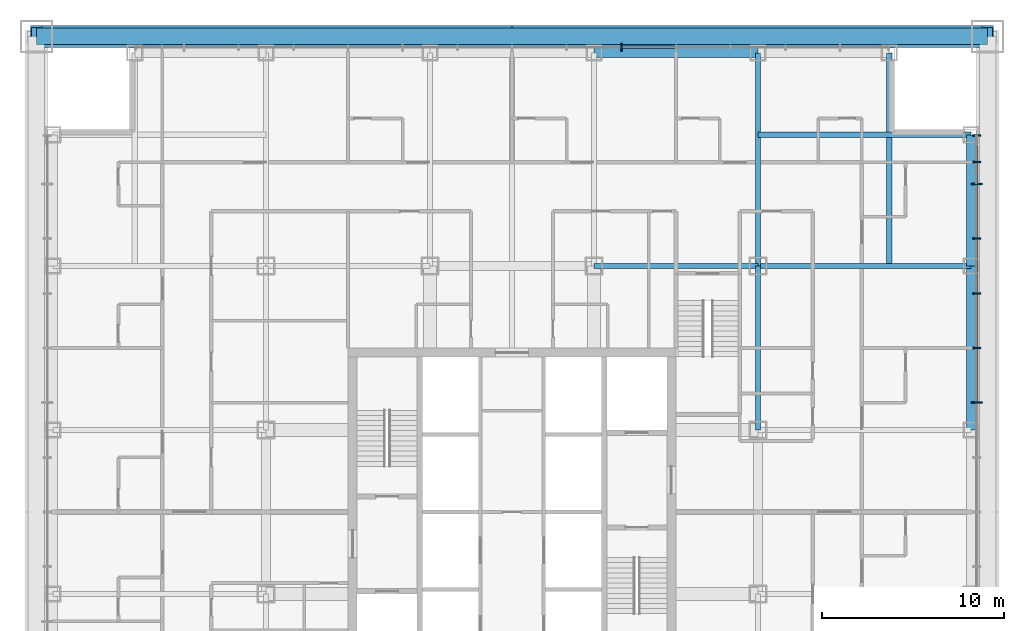
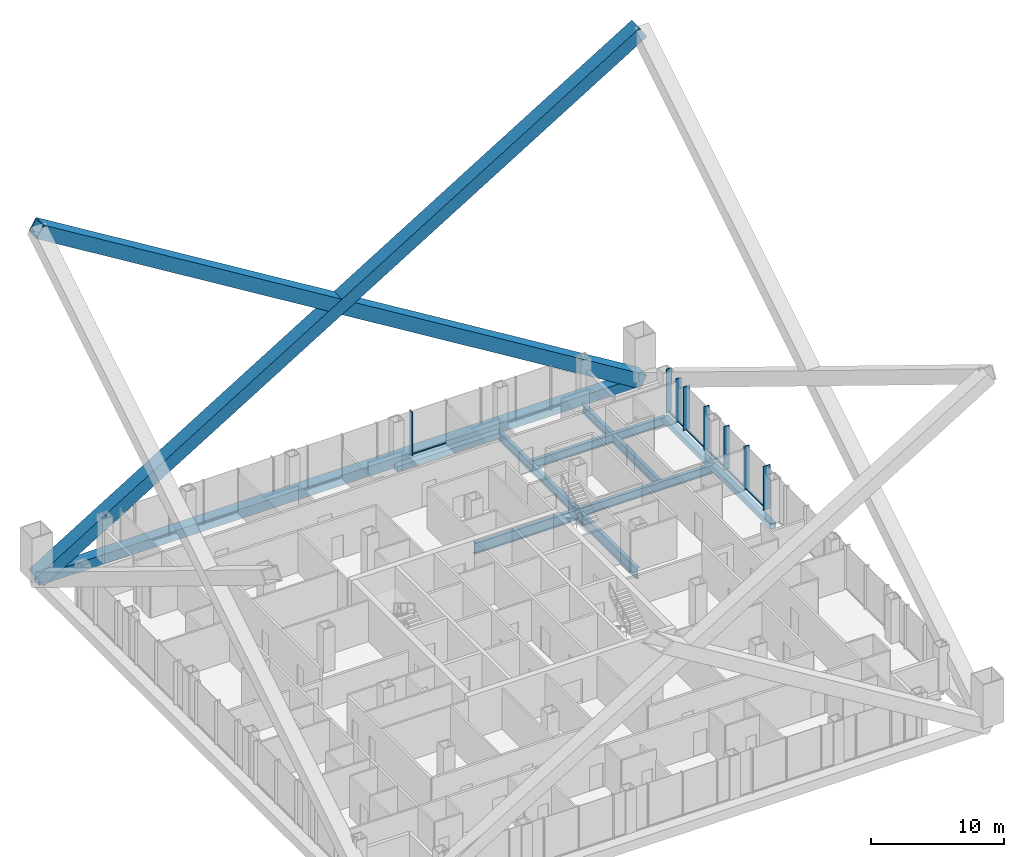
# One storey, part 9 of 21: 18 members, 9 beams, 2 elements without a shape of their own.
"""IFC4 building model written with IfcOpenShell, lengths in metres."""

import ifcopenshell
import ifcopenshell.guid

model = None  # the IFC model being written
_history = None  # IfcOwnerHistory: only IFC2X3 demands one
_inside = {}  # id of a spatial element -> (the spatial element, [elements in it])
_under = {}  # id of a project, library or spatial element -> (it, [spatial elements below it])
_declared = {}  # id of a project -> (the project, [libraries it declares])
_typed = {}  # id of a type object -> (the type object, [elements of that type])
_made_of = {}  # id of a material, layer set ... -> (it, [elements and type objects made of it])


def new_model(schema):
    """Start an empty IFC model of exactly this schema.

    Asked for "IFC4X3", IfcOpenShell would pick the latest addendum, in which some entities
    have other attributes; the version numbers below select the first issue.
    IFC2X3 requires an IfcOwnerHistory on every rooted entity: one is made here for all.
    """
    global model, _history
    if schema == "IFC4X3":
        model = ifcopenshell.file(schema_version=(4, 3, 0, 0))
    else:
        model = ifcopenshell.file(schema=schema)
    _inside.clear()
    _under.clear()
    _declared.clear()
    _typed.clear()
    _made_of.clear()
    _history = None
    if model.schema == "IFC2X3":
        org = make("IfcOrganization", Name="unknown")
        user = make(
            "IfcPersonAndOrganization",
            ThePerson=make("IfcPerson", FamilyName="unknown"),
            TheOrganization=org,
        )
        app = make(
            "IfcApplication",
            ApplicationDeveloper=org,
            Version="unknown",
            ApplicationFullName="unknown",
            ApplicationIdentifier="unknown",
        )
        _history = make(
            "IfcOwnerHistory",
            OwningUser=user,
            OwningApplication=app,
            ChangeAction="ADDED",
            CreationDate=0,
        )
    return model


def make(cls, **values):
    """One entity of the class cls with the attributes given. An attribute that is None is left unset."""
    return model.create_entity(
        cls, **{name: value for name, value in values.items() if value is not None}
    )


def rooted(cls, **values):
    """An entity with a GlobalId (a new one), such as an element, a storey or a relation."""
    return make(cls, GlobalId=ifcopenshell.guid.new(), OwnerHistory=_history, **values)


def si_unit(unit_type, name, prefix=None):
    """IfcSIUnit, for example si_unit("LENGTHUNIT", "METRE", prefix="MILLI")."""
    return make("IfcSIUnit", UnitType=unit_type, Prefix=prefix, Name=name)


def assignment(units):
    """IfcUnitAssignment: the units of a project."""
    return None if units is None else make("IfcUnitAssignment", Units=units)


def point(xyz):
    """IfcCartesianPoint."""
    return None if xyz is None else make("IfcCartesianPoint", Coordinates=xyz)


def direction(xyz):
    """IfcDirection."""
    return None if xyz is None else make("IfcDirection", DirectionRatios=xyz)


def frame(location, z_axis=None, x_axis=None):
    """IfcAxis2Placement3D, a coordinate frame: its origin and axes. An axis left out is left unset."""
    return make(
        "IfcAxis2Placement3D",
        Location=point(location),
        Axis=direction(z_axis),
        RefDirection=direction(x_axis),
    )


def frame_2d(location, x_axis=None):
    """IfcAxis2Placement2D, a coordinate frame in the plane: its origin and x axis."""
    return make(
        "IfcAxis2Placement2D", Location=point(location), RefDirection=direction(x_axis)
    )


def origin():
    """The frame at (0, 0, 0) with its axes left unset."""
    return frame((0.0, 0.0, 0.0))


def origin_2d():
    """The frame at (0, 0) in the plane with its x axis left unset."""
    return frame_2d((0.0, 0.0))


def place(relative_to, where):
    """IfcLocalPlacement: puts the frame where relative to a parent placement (None: the world)."""
    return make(
        "IfcLocalPlacement", PlacementRelTo=relative_to, RelativePlacement=where
    )


def context(
    kind, dimensions, precision=None, world=None, true_north=None, identifier=None
):
    """IfcGeometricRepresentationContext, for example the 3D "Model" context."""
    return make(
        "IfcGeometricRepresentationContext",
        ContextIdentifier=identifier,
        ContextType=kind,
        CoordinateSpaceDimension=dimensions,
        Precision=precision,
        WorldCoordinateSystem=world,
        TrueNorth=true_north,
    )


def subcontext(parent, identifier, kind, view, scale=None):
    """IfcGeometricRepresentationSubContext, for example "Body" below "Model"."""
    return make(
        "IfcGeometricRepresentationSubContext",
        ContextIdentifier=identifier,
        ContextType=kind,
        ParentContext=parent,
        TargetScale=scale,
        TargetView=view,
    )


def project(units=None, contexts=None):
    """IfcProject with its units and contexts."""
    return rooted(
        "IfcProject",
        Name="project",
        RepresentationContexts=contexts,
        UnitsInContext=assignment(units),
    )


def spatial(cls, under=None, at=None, **own):
    """A site, building, storey or space (cls), placed at a placement, below another one or the project."""
    s = rooted(cls, ObjectPlacement=at, **own)
    if under is not None:
        _under.setdefault(under.id(), (under, []))[1].append(s)
    return s


def profile(cls, at=None, kind="AREA", **sizes):
    """A parametric profile (cls). Its sizes go by their IFC names, for example OverallWidth=200.0."""
    return make(cls, ProfileType=kind, Position=at, **sizes)


def rectangle(**sizes):
    """IfcRectangleProfileDef."""
    return profile("IfcRectangleProfileDef", **sizes)


def hollow_rectangle(**sizes):
    """IfcRectangleHollowProfileDef."""
    return profile("IfcRectangleHollowProfileDef", **sizes)


def i_section(**sizes):
    """IfcIShapeProfileDef."""
    return profile("IfcIShapeProfileDef", **sizes)


def extrude(swept, where, along, depth):
    """IfcExtrudedAreaSolid: the profile swept, set in the frame where, extruded along a direction by depth."""
    return make(
        "IfcExtrudedAreaSolid",
        SweptArea=swept,
        Position=where,
        ExtrudedDirection=direction(along),
        Depth=depth,
    )


def shape(context_of_items, identifier, shape_type, items):
    """IfcShapeRepresentation: the items that make up one representation, for example the "Body"."""
    return make(
        "IfcShapeRepresentation",
        ContextOfItems=context_of_items,
        RepresentationIdentifier=identifier,
        RepresentationType=shape_type,
        Items=items,
    )


def material(Name=None, Category=None):
    """IfcMaterial."""
    return make("IfcMaterial", Name=Name, Category=Category)


def layer(
    of_material, thickness, ventilated=None, Name=None, Category=None, Priority=None
):
    """IfcMaterialLayer: one layer of a wall or slab, of a material (None: an air gap)."""
    return make(
        "IfcMaterialLayer",
        Material=of_material,
        LayerThickness=thickness,
        IsVentilated=ventilated,
        Name=Name,
        Category=Category,
        Priority=Priority,
    )


def layer_set(layers, Name=None):
    """IfcMaterialLayerSet."""
    return make("IfcMaterialLayerSet", MaterialLayers=layers, LayerSetName=Name)


def material_profile(
    of_material, cross_section, Name=None, Category=None, Priority=None
):
    """IfcMaterialProfile: a cross section and its material."""
    return make(
        "IfcMaterialProfile",
        Name=Name,
        Material=of_material,
        Profile=cross_section,
        Priority=Priority,
        Category=Category,
    )


def profile_set(profiles, Name=None, composite=None):
    """IfcMaterialProfileSet."""
    return make(
        "IfcMaterialProfileSet",
        Name=Name,
        MaterialProfiles=profiles,
        CompositeProfile=composite,
    )


def made_of(thing, what):
    """Note that an element or type object is made of a material, layer set ...; save() writes the relation."""
    if what is not None:
        _made_of.setdefault(what.id(), (what, []))[1].append(thing)
    return thing


def type_object(cls, material=None, **own):
    """A type object (cls), such as IfcWallType, which elements share."""
    return made_of(rooted(cls, **own), material)


def element(
    cls,
    number,
    at=None,
    inside=None,
    cuts=None,
    type_object=None,
    material=None,
    context=None,
    identifier="Body",
    shape_type=None,
    held_by="IfcProductDefinitionShape",
    body=None,
    shapes=None,
    **own,
):
    """One element of the class cls, such as IfcWall. Its Tag is "e" and its number.

    at: its placement. inside: the storey or other place that contains it. cuts: it is an
    opening in that element (IfcRelVoidsElement). A single representation is given by context,
    identifier, shape_type and body (its items); several are given by shapes. held_by: the class
    of the entity that holds the representations. save() writes the other relations.
    """
    e = rooted(cls, Tag="e%d" % number, ObjectPlacement=at, **own)
    if body is not None:
        shapes = [shape(context, identifier, shape_type, body)]
    if shapes is not None:
        e.Representation = make(held_by, Representations=shapes)
    if inside is not None:
        _inside.setdefault(inside.id(), (inside, []))[1].append(e)
    if cuts is not None:
        rooted(
            "IfcRelVoidsElement", RelatingBuildingElement=cuts, RelatedOpeningElement=e
        )
    if type_object is not None:
        _typed.setdefault(type_object.id(), (type_object, []))[1].append(e)
    return made_of(e, material)


def aggregate(whole, parts):
    """IfcRelAggregates: a whole, such as a stair, and the parts it consists of."""
    return rooted("IfcRelAggregates", RelatingObject=whole, RelatedObjects=parts)


def save(model, path):
    """Write the relations noted so far, then the file.

    IfcRelAggregates (storeys below a building ...), IfcRelContainedInSpatialStructure (elements
    in a storey), IfcRelDefinesByType, IfcRelAssociatesMaterial and IfcRelDeclares: one each for
    every whole, place, type object, material and project.
    """
    for whole, parts in _under.values():
        aggregate(whole, parts)
    for where, things in _inside.values():
        rooted(
            "IfcRelContainedInSpatialStructure",
            RelatedElements=things,
            RelatingStructure=where,
        )
    for kind, things in _typed.values():
        rooted("IfcRelDefinesByType", RelatedObjects=things, RelatingType=kind)
    for what, things in _made_of.values():
        rooted("IfcRelAssociatesMaterial", RelatedObjects=things, RelatingMaterial=what)
    for by, libraries in _declared.values():
        rooted("IfcRelDeclares", RelatingContext=by, RelatedDefinitions=libraries)
    model.write(path)


model = new_model("IFC4")

# Units and contexts
model_context = context("Model", 3, precision=1e-05, world=origin(), true_north=direction((0.0, 1.0)))
body_context = subcontext(model_context, "Body", "Model", "MODEL_VIEW")
ifc_project = project(units=[si_unit("LENGTHUNIT", "METRE"), si_unit("AREAUNIT", "SQUARE_METRE"), si_unit("VOLUMEUNIT", "CUBIC_METRE"), si_unit("PLANEANGLEUNIT", "RADIAN"), si_unit("MASSUNIT", "GRAM", prefix="KILO")], contexts=[model_context])

# Site, building, storey
site_placement = place(None, origin())
site = spatial("IfcSite", under=ifc_project, at=site_placement, CompositionType="ELEMENT")
building_placement = place(site_placement, origin())
building = spatial("IfcBuilding", under=site, at=building_placement, Name="Malebo Sky Hospital", CompositionType="ELEMENT")
storey_placement = place(building_placement, frame((0.0, 0.0, 63.0)))
storey = spatial("IfcBuildingStorey", under=building, at=storey_placement, Name="L14", CompositionType="ELEMENT", Elevation=63.0)

# Curtain wall, member
ifc_material_1 = material(Name="Anodised aluminium, natural silver", Category="aluminium")
ifc_layer_1 = layer(ifc_material_1, 0.25)
ifc_layer_set_1 = layer_set([ifc_layer_1], Name="WARD CURTAIN WALL NORTH AND SOUTH")
curtain_wall_type_1 = type_object("IfcCurtainWallType", Name="WARD CURTAIN WALL NORTH AND SOUTH", PredefinedType="NOTDEFINED", material=ifc_layer_set_1)
curtain_wall_1_placement = place(storey_placement, origin())
curtain_wall_1 = element("IfcCurtainWall", 1, at=curtain_wall_1_placement, inside=storey, type_object=curtain_wall_type_1, Name="NS curtain wall N", PredefinedType="NOTDEFINED")
ifc_material_profile_1 = material_profile(ifc_material_1, rectangle(XDim=0.14990234375, YDim=0.10009765625, at=origin_2d()), Name="ALUMINIUM TRANSOM 150x100")
ifc_profile_set_1 = profile_set([ifc_material_profile_1], Name="Anodised aluminium, natural silver")
member_type_1 = type_object("IfcMemberType", Name="ALUMINIUM TRANSOM 150x100", PredefinedType="USERDEFINED", material=ifc_profile_set_1)
member_1_placement = place(storey_placement, frame((66.03759765625, 87.5, 0.050048828125), z_axis=(1.0, 0.0, 0.0), x_axis=(0.0, 1.0, 0.0)))
member_1 = element("IfcMember", 2, at=member_1_placement, type_object=member_type_1, Name="Transom 11", ObjectType="TRANSOM", PredefinedType="USERDEFINED", context=body_context, shape_type="SweptSolid", body=[
    extrude(rectangle(XDim=0.14990234375, YDim=0.10009765625, at=origin_2d()), origin(), (0.0, 0.0, 1.0), 2.9248046875),
])

# Curtain wall, members
ifc_layer_2 = layer(ifc_material_1, 0.25)
ifc_layer_set_2 = layer_set([ifc_layer_2], Name="WARD CURTAIN WALL EAST AND WEST")
curtain_wall_type_2 = type_object("IfcCurtainWallType", Name="WARD CURTAIN WALL EAST AND WEST", PredefinedType="NOTDEFINED", material=ifc_layer_set_2)
curtain_wall_2_placement = place(storey_placement, origin())
curtain_wall_2 = element("IfcCurtainWall", 3, at=curtain_wall_2_placement, inside=storey, type_object=curtain_wall_type_2, Name="EW curtain wall E", PredefinedType="NOTDEFINED")
member_2_placement = place(storey_placement, frame((85.5, 82.625, 0.050048828125), z_axis=(0.0, -1.0, 0.0), x_axis=(1.0, 0.0, 0.0)))
member_2 = element("IfcMember", 4, at=member_2_placement, type_object=member_type_1, Name="Transom 1", ObjectType="TRANSOM", PredefinedType="USERDEFINED", context=body_context, shape_type="SweptSolid", body=[
    extrude(rectangle(XDim=0.14990234375, YDim=0.10009765625, at=origin_2d()), origin(), (0.0, 0.0, 1.0), 1.387451171875),
])
member_3_placement = place(storey_placement, frame((85.5, 81.16259765625, 0.050048828125), z_axis=(0.0, -1.0, 0.0), x_axis=(1.0, 0.0, 0.0)))
member_3 = element("IfcMember", 5, at=member_3_placement, type_object=member_type_1, Name="Transom 2", ObjectType="TRANSOM", PredefinedType="USERDEFINED", context=body_context, shape_type="SweptSolid", body=[
    extrude(rectangle(XDim=0.14990234375, YDim=0.10009765625, at=origin_2d()), origin(), (0.0, 0.0, 1.0), 1.125),
])
member_4_placement = place(storey_placement, frame((85.5, 79.96240234375, 0.050048828125), z_axis=(0.0, -1.0, 0.0), x_axis=(1.0, 0.0, 0.0)))
member_4 = element("IfcMember", 6, at=member_4_placement, type_object=member_type_1, Name="Transom 3", ObjectType="TRANSOM", PredefinedType="USERDEFINED", context=body_context, shape_type="SweptSolid", body=[
    extrude(rectangle(XDim=0.14990234375, YDim=0.10009765625, at=origin_2d()), origin(), (0.0, 0.0, 1.0), 2.9248046875),
])
member_5_placement = place(storey_placement, frame((85.5, 76.96240234375, 0.050048828125), z_axis=(0.0, -1.0, 0.0), x_axis=(1.0, 0.0, 0.0)))
member_5 = element("IfcMember", 7, at=member_5_placement, type_object=member_type_1, Name="Transom 4", ObjectType="TRANSOM", PredefinedType="USERDEFINED", context=body_context, shape_type="SweptSolid", body=[
    extrude(rectangle(XDim=0.14990234375, YDim=0.10009765625, at=origin_2d()), origin(), (0.0, 0.0, 1.0), 2.9248046875),
])
member_6_placement = place(storey_placement, frame((85.5, 73.96240234375, 0.050048828125), z_axis=(0.0, -1.0, 0.0), x_axis=(1.0, 0.0, 0.0)))
member_6 = element("IfcMember", 8, at=member_6_placement, type_object=member_type_1, Name="Transom 5", ObjectType="TRANSOM", PredefinedType="USERDEFINED", context=body_context, shape_type="SweptSolid", body=[
    extrude(rectangle(XDim=0.14990234375, YDim=0.10009765625, at=origin_2d()), origin(), (0.0, 0.0, 1.0), 2.9248046875),
])
member_7_placement = place(storey_placement, frame((85.5, 70.96240234375, 0.050048828125), z_axis=(0.0, -1.0, 0.0), x_axis=(1.0, 0.0, 0.0)))
member_7 = element("IfcMember", 9, at=member_7_placement, type_object=member_type_1, Name="Transom 6", ObjectType="TRANSOM", PredefinedType="USERDEFINED", context=body_context, shape_type="SweptSolid", body=[
    extrude(rectangle(XDim=0.14990234375, YDim=0.10009765625, at=origin_2d()), origin(), (0.0, 0.0, 1.0), 2.9248046875),
])

# Member
ifc_material_profile_2 = material_profile(ifc_material_1, rectangle(XDim=0.074951171875, YDim=0.449951171875, at=origin_2d()), Name="CW1 ALUMINIUM FIN MULLION 75x450")
ifc_profile_set_2 = profile_set([ifc_material_profile_2], Name="Anodised aluminium, natural silver")
member_type_2 = type_object("IfcMemberType", Name="CW1 ALUMINIUM FIN MULLION 75x450", PredefinedType="MULLION", material=ifc_profile_set_2)
member_8_placement = place(storey_placement, frame((66.0, 87.5, 0.0), z_axis=(0.0, 0.0, 1.0), x_axis=(1.0, 0.0, 0.0)))
member_8 = element("IfcMember", 10, at=member_8_placement, type_object=member_type_2, Name="Fin mullion 11", PredefinedType="MULLION", context=body_context, shape_type="SweptSolid", body=[
    extrude(rectangle(XDim=0.074951171875, YDim=0.449951171875, at=origin_2d()), origin(), (0.0, 0.0, 1.0), 4.0),
])

aggregate(curtain_wall_1, [member_8, member_1])

ifc_material_profile_3 = material_profile(ifc_material_1, rectangle(XDim=0.074951171875, YDim=0.449951171875, at=origin_2d()), Name="CW2 ALUMINIUM FIN MULLION 75x450")
ifc_profile_set_3 = profile_set([ifc_material_profile_3], Name="Anodised aluminium, natural silver")
member_type_3 = type_object("IfcMemberType", Name="CW2 ALUMINIUM FIN MULLION 75x450", PredefinedType="MULLION", material=ifc_profile_set_3)
member_9_placement = place(storey_placement, frame((85.5, 82.66259765625, 0.0), z_axis=(0.0, 0.0, 1.0), x_axis=(0.0, -1.0, 0.0)))
member_9 = element("IfcMember", 11, at=member_9_placement, type_object=member_type_3, Name="Fin mullion 1", PredefinedType="MULLION", context=body_context, shape_type="SweptSolid", body=[
    extrude(rectangle(XDim=0.074951171875, YDim=0.449951171875, at=origin_2d()), origin(), (0.0, 0.0, 1.0), 4.0),
])

member_10_placement = place(storey_placement, frame((85.5, 81.199951171875, 0.0), z_axis=(0.0, 0.0, 1.0), x_axis=(0.0, -1.0, 0.0)))
member_10 = element("IfcMember", 12, at=member_10_placement, type_object=member_type_3, Name="Fin mullion 2", PredefinedType="MULLION", context=body_context, shape_type="SweptSolid", body=[
    extrude(rectangle(XDim=0.074951171875, YDim=0.449951171875, at=origin_2d()), origin(), (0.0, 0.0, 1.0), 4.0),
])

member_11_placement = place(storey_placement, frame((85.5, 77.0, 0.0), z_axis=(0.0, 0.0, 1.0), x_axis=(0.0, -1.0, 0.0)))
member_11 = element("IfcMember", 13, at=member_11_placement, type_object=member_type_3, Name="Fin mullion 4", PredefinedType="MULLION", context=body_context, shape_type="SweptSolid", body=[
    extrude(rectangle(XDim=0.074951171875, YDim=0.449951171875, at=origin_2d()), origin(), (0.0, 0.0, 1.0), 4.0),
])

member_12_placement = place(storey_placement, frame((85.5, 74.0, 0.0), z_axis=(0.0, 0.0, 1.0), x_axis=(0.0, -1.0, 0.0)))
member_12 = element("IfcMember", 14, at=member_12_placement, type_object=member_type_3, Name="Fin mullion 5", PredefinedType="MULLION", context=body_context, shape_type="SweptSolid", body=[
    extrude(rectangle(XDim=0.074951171875, YDim=0.449951171875, at=origin_2d()), origin(), (0.0, 0.0, 1.0), 4.0),
])

member_13_placement = place(storey_placement, frame((85.5, 71.0, 0.0), z_axis=(0.0, 0.0, 1.0), x_axis=(0.0, -1.0, 0.0)))
member_13 = element("IfcMember", 15, at=member_13_placement, type_object=member_type_3, Name="Fin mullion 6", PredefinedType="MULLION", context=body_context, shape_type="SweptSolid", body=[
    extrude(rectangle(XDim=0.074951171875, YDim=0.449951171875, at=origin_2d()), origin(), (0.0, 0.0, 1.0), 4.0),
])

ifc_material_profile_4 = material_profile(ifc_material_1, rectangle(XDim=0.074951171875, YDim=0.60009765625, at=origin_2d()), Name="CW2 ALUMINIUM FIN MULLION 75x600")
ifc_profile_set_4 = profile_set([ifc_material_profile_4], Name="Anodised aluminium, natural silver")
member_type_4 = type_object("IfcMemberType", Name="CW2 ALUMINIUM FIN MULLION 75x600", PredefinedType="MULLION", material=ifc_profile_set_4)
member_14_placement = place(storey_placement, frame((85.5, 80.0, 0.0), z_axis=(0.0, 0.0, 1.0), x_axis=(0.0, -1.0, 0.0)))
member_14 = element("IfcMember", 16, at=member_14_placement, type_object=member_type_4, Name="Fin mullion 3", PredefinedType="MULLION", context=body_context, shape_type="SweptSolid", body=[
    extrude(rectangle(XDim=0.074951171875, YDim=0.60009765625, at=origin_2d()), origin(), (0.0, 0.0, 1.0), 4.0),
])

member_15_placement = place(storey_placement, frame((85.5, 68.0, 0.0), z_axis=(0.0, 0.0, 1.0), x_axis=(0.0, -1.0, 0.0)))
member_15 = element("IfcMember", 17, at=member_15_placement, type_object=member_type_4, Name="Fin mullion 7", PredefinedType="MULLION", context=body_context, shape_type="SweptSolid", body=[
    extrude(rectangle(XDim=0.074951171875, YDim=0.60009765625, at=origin_2d()), origin(), (0.0, 0.0, 1.0), 4.0),
])

aggregate(curtain_wall_2, [member_9, member_10, member_14, member_11, member_12, member_13, member_15, member_2, member_3, member_4, member_5, member_6, member_7])

# Beams
ifc_material_2 = material(Name="Steel S460", Category="steel")
ifc_material_profile_5 = material_profile(ifc_material_2, hollow_rectangle(XDim=0.5, YDim=0.5, WallThickness=0.030029296875, at=origin_2d()), Name="BOX 500x500x30")
ifc_profile_set_5 = profile_set([ifc_material_profile_5], Name="Steel S460")
beam_type_1 = type_object("IfcBeamType", Name="EDGE BEAM BOX 500x500x30", PredefinedType="BEAM", material=ifc_profile_set_5)
beam_1_placement = place(storey_placement, frame((85.199951171875, 66.5, -0.5), z_axis=(0.0, 1.0, 0.0), x_axis=(-1.0, 0.0, 0.0)))
element("IfcBeam", 18, at=beam_1_placement, inside=storey, type_object=beam_type_1, Name="Beam 032 L14", PredefinedType="BEAM", context=body_context, shape_type="SweptSolid", body=[
    extrude(hollow_rectangle(XDim=0.5, YDim=0.5, WallThickness=0.030029296875, at=origin_2d()), origin(), (0.0, 0.0, 1.0), 9.0),
])
beam_2_placement = place(storey_placement, frame((85.199951171875, 75.5, -0.5), z_axis=(0.0, 1.0, 0.0), x_axis=(-1.0, 0.0, 0.0)))
element("IfcBeam", 19, at=beam_2_placement, inside=storey, type_object=beam_type_1, Name="Beam 033 L14", PredefinedType="BEAM", context=body_context, shape_type="SweptSolid", body=[
    extrude(hollow_rectangle(XDim=0.5, YDim=0.5, WallThickness=0.030029296875, at=origin_2d()), origin(), (0.0, 0.0, 1.0), 7.199951171875),
])
beam_3_placement = place(storey_placement, frame((64.5, 87.199951171875, -0.5), z_axis=(1.0, 0.0, 0.0), x_axis=(0.0, 1.0, 0.0)))
element("IfcBeam", 20, at=beam_3_placement, inside=storey, type_object=beam_type_1, Name="Beam 066 L14", PredefinedType="BEAM", context=body_context, shape_type="SweptSolid", body=[
    extrude(hollow_rectangle(XDim=0.5, YDim=0.5, WallThickness=0.030029296875, at=origin_2d()), origin(), (0.0, 0.0, 1.0), 9.0),
])
ifc_material_3 = material(Name="Steel S355", Category="steel")
ifc_material_profile_6 = material_profile(ifc_material_3, i_section(OverallWidth=0.300048828125, OverallDepth=1.0, WebThickness=0.01904296875, FlangeThickness=0.035888671875, FilletRadius=0.030029296875, at=origin_2d()), Name="HEB 1000")
ifc_profile_set_6 = profile_set([ifc_material_profile_6], Name="Steel S355")
beam_type_2 = type_object("IfcBeamType", Name="FLOOR BEAM HEB 1000", PredefinedType="BEAM", material=ifc_profile_set_6)
for number, where, z_axis, x_axis, name in (
    (21, (73.5, 66.5, -0.75), (0.0, 1.0, 0.0), (-1.0, 0.0, 0.0), "Beam 025 L14"),
    (22, (64.5, 75.5, -0.75), (1.0, 0.0, 0.0), (0.0, 1.0, 0.0), "Beam 059 L14"),
):
    element("IfcBeam", number, at=place(storey_placement, frame(where, z_axis=z_axis, x_axis=x_axis)), inside=storey, type_object=beam_type_2, Name=name, PredefinedType="BEAM", context=body_context, shape_type="SweptSolid", body=[
        extrude(i_section(OverallWidth=0.300048828125, OverallDepth=1.0, WebThickness=0.01904296875, FlangeThickness=0.035888671875, FilletRadius=0.030029296875, at=origin_2d()), origin(), (0.0, 0.0, 1.0), 9.0),
    ])
ifc_material_profile_7 = material_profile(ifc_material_3, i_section(OverallWidth=0.300048828125, OverallDepth=0.800048828125, WebThickness=0.017578125, FlangeThickness=0.032958984375, FilletRadius=0.030029296875, at=origin_2d()), Name="HEB 800")
ifc_profile_set_7 = profile_set([ifc_material_profile_7], Name="Steel S355")
beam_type_3 = type_object("IfcBeamType", Name="FLOOR BEAM HEB 800", PredefinedType="BEAM", material=ifc_profile_set_7)
for number, where, z_axis, x_axis, name in (
    (23, (80.699951171875, 75.5, -0.64990234375), (0.0, 1.0, 0.0), (-1.0, 0.0, 0.0), "Beam 028 L14"),
    (24, (73.5, 82.699951171875, -0.64990234375), (1.0, 0.0, 0.0), (0.0, 1.0, 0.0), "Beam 062 L14"),
):
    element("IfcBeam", number, at=place(storey_placement, frame(where, z_axis=z_axis, x_axis=x_axis)), inside=storey, type_object=beam_type_3, Name=name, PredefinedType="BEAM", context=body_context, shape_type="SweptSolid", body=[
        extrude(i_section(OverallWidth=0.300048828125, OverallDepth=0.800048828125, WebThickness=0.017578125, FlangeThickness=0.032958984375, FilletRadius=0.030029296875, at=origin_2d()), origin(), (0.0, 0.0, 1.0), 11.699951171875),
    ])
ifc_material_profile_8 = material_profile(ifc_material_3, i_section(OverallWidth=0.300048828125, OverallDepth=0.800048828125, WebThickness=0.017578125, FlangeThickness=0.032958984375, FilletRadius=0.030029296875, at=origin_2d()), Name="HEB 800")
ifc_profile_set_8 = profile_set([ifc_material_profile_8], Name="Steel S355")
beam_type_4 = type_object("IfcBeamType", Name="FLOOR GIRDER HEB 800", PredefinedType="BEAM", material=ifc_profile_set_8)
for number, where, z_axis, x_axis, name in (
    (25, (73.5, 75.5, -0.64990234375), (0.0, 1.0, 0.0), (-1.0, 0.0, 0.0), "Beam 026 L14"),
    (26, (73.5, 75.5, -0.64990234375), (1.0, 0.0, 0.0), (0.0, 1.0, 0.0), "Beam 060 L14"),
):
    element("IfcBeam", number, at=place(storey_placement, frame(where, z_axis=z_axis, x_axis=x_axis)), inside=storey, type_object=beam_type_4, Name=name, PredefinedType="BEAM", context=body_context, shape_type="SweptSolid", body=[
        extrude(i_section(OverallWidth=0.300048828125, OverallDepth=0.800048828125, WebThickness=0.017578125, FlangeThickness=0.032958984375, FilletRadius=0.030029296875, at=origin_2d()), origin(), (0.0, 0.0, 1.0), 11.699951171875),
    ])

# Members
ifc_material_profile_9 = material_profile(ifc_material_2, hollow_rectangle(XDim=1.199951171875, YDim=1.199951171875, WallThickness=0.10009765625, at=origin_2d()), Name="BOX 1200x1200x100")
ifc_profile_set_9 = profile_set([ifc_material_profile_9], Name="Steel S460")
member_type_5 = type_object("IfcMemberType", Name="MEGA BRACE BOX 1200x1200x100", PredefinedType="BRACE", material=ifc_profile_set_9)
for number, where, z_axis, x_axis, name in (
    (27, (86.10009765625, 88.10009765625, -0.39990234375), (-0.85255517375, 0.0, 0.522637231464), (0.0, -1.0, 0.0), "Mega brace A2N1 L14-L22"),
    (28, (33.89990234375, 88.10009765625, -0.39990234375), (0.85255517375, 0.0, 0.522637231464), (0.0, 1.0, 0.0), "Mega brace A2N2 L14-L22"),
):
    element("IfcMember", number, at=place(storey_placement, frame(where, z_axis=z_axis, x_axis=x_axis)), inside=storey, type_object=member_type_5, Name=name, PredefinedType="BRACE", context=body_context, shape_type="SweptSolid", body=[
        extrude(hollow_rectangle(XDim=1.199951171875, YDim=1.199951171875, WallThickness=0.10009765625, at=origin_2d()), origin(), (0.0, 0.0, 1.0), 61.22802734375),
    ])
ifc_material_profile_10 = material_profile(ifc_material_2, hollow_rectangle(XDim=0.89990234375, YDim=0.89990234375, WallThickness=0.050048828125, at=origin_2d()), Name="BOX 900x900x50")
ifc_profile_set_10 = profile_set([ifc_material_profile_10], Name="Steel S460")
member_type_6 = type_object("IfcMemberType", Name="MEGA TIE BOX 900x900x50", PredefinedType="CHORD", material=ifc_profile_set_10)
member_16_placement = place(storey_placement, frame((86.10009765625, 88.10009765625, -0.39990234375), z_axis=(-1.0, 0.0, 0.0), x_axis=(0.0, -1.0, 0.0)))
element("IfcMember", 29, at=member_16_placement, inside=storey, type_object=member_type_6, Name="Mega tie AN L14", PredefinedType="CHORD", context=body_context, shape_type="SweptSolid", body=[
    extrude(hollow_rectangle(XDim=0.89990234375, YDim=0.89990234375, WallThickness=0.050048828125, at=origin_2d()), origin(), (0.0, 0.0, 1.0), 52.2001953125),
])

save(model, "model.ifc")
